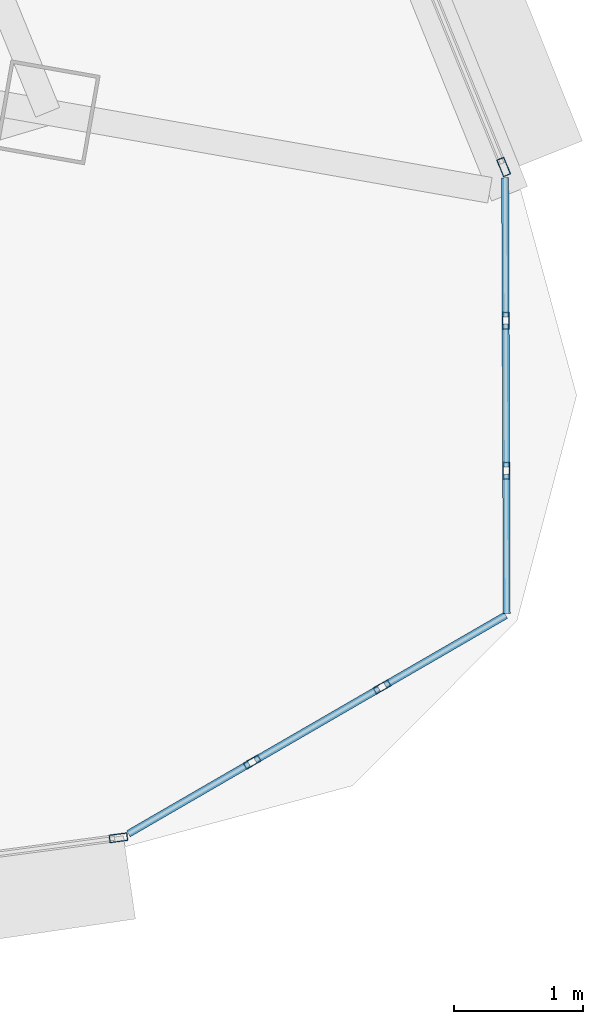
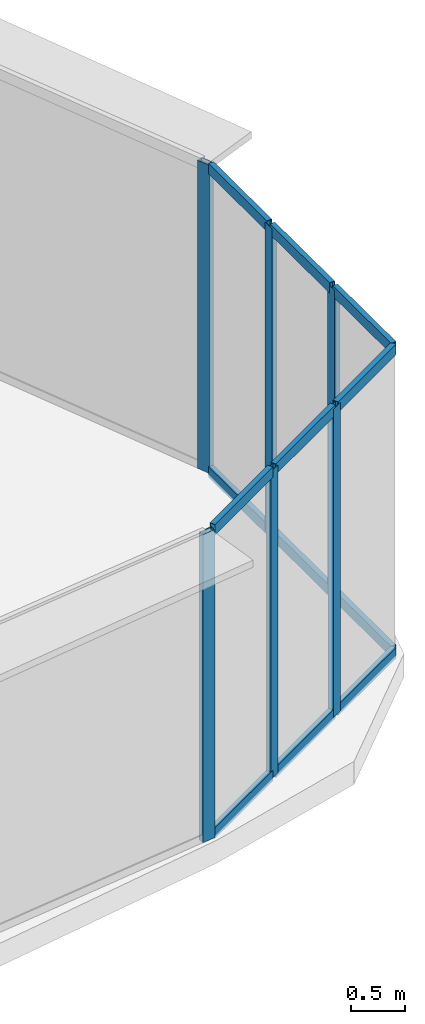
# One storey, part 13 of 26: 18 members, 4 elements without a shape of their own.
"""IFC4 building model written with IfcOpenShell, lengths in metres."""

from ifc_helpers import new_model, si_unit, direction, frame, origin, origin_2d, place, context, subcontext, project, spatial, hollow_rectangle, extrude, source, transform, mapped, material, layer, layer_set, material_profile, profile_set, type_object, element, aggregate, save


model = new_model("IFC4")

# Units and contexts
model_context = context("Model", 3, precision=1e-05, world=origin(), true_north=direction((0.0, 1.0)))
body_context = subcontext(model_context, "Body", "Model", "MODEL_VIEW")
ifc_project = project(units=[si_unit("LENGTHUNIT", "METRE"), si_unit("AREAUNIT", "SQUARE_METRE"), si_unit("VOLUMEUNIT", "CUBIC_METRE"), si_unit("PLANEANGLEUNIT", "RADIAN"), si_unit("MASSUNIT", "GRAM", prefix="KILO"), si_unit("THERMODYNAMICTEMPERATUREUNIT", "KELVIN"), si_unit("POWERUNIT", "WATT")], contexts=[model_context])

# Site, building, storey
site_placement = place(None, origin())
site = spatial("IfcSite", under=ifc_project, at=site_placement, CompositionType="ELEMENT")
building_placement = place(site_placement, origin())
building = spatial("IfcBuilding", under=site, at=building_placement, Name="Yunzhuo Pagoda Commons", CompositionType="ELEMENT")
storey_placement = place(building_placement, frame((0.0, 0.0, 340.510009765625)))
storey = spatial("IfcBuildingStorey", under=building, at=storey_placement, Name="L85", CompositionType="ELEMENT", Elevation=340.510009765625)

# Curtain wall, member
ifc_material = material(Name="Anodized aluminium 6063-T6", Category="aluminium")
ifc_layer_1 = layer(ifc_material, 0.139892578125)
ifc_layer_set_1 = layer_set([ifc_layer_1], Name="Anodized aluminium 6063-T6")
curtain_wall_type_1 = type_object("IfcCurtainWallType", Name="CW-HI High-Zone Ribbon Curtain Wall", PredefinedType="NOTDEFINED", material=ifc_layer_set_1)
curtain_wall_1_placement = place(storey_placement, origin())
curtain_wall_1 = element("IfcCurtainWall", 1, at=curtain_wall_1_placement, inside=storey, type_object=curtain_wall_type_1, Name="L85 curtain wall CW-L85-F1B5", PredefinedType="NOTDEFINED")
ifc_material_profile_1 = material_profile(ifc_material, hollow_rectangle(XDim=0.06005859375, YDim=0.139892578125, WallThickness=0.00341796875, at=origin_2d()), Name="Anodized aluminium 6063-T6")
ifc_profile_set_1 = profile_set([ifc_material_profile_1], Name="Anodized aluminium 6063-T6")
member_type_1 = type_object("IfcMemberType", Name="CW-HI-M Mullion RHS 140x60x3.5", PredefinedType="MULLION", material=ifc_profile_set_1)
shared_shape_1 = source(origin(), body_context, "Body", "SweptSolid", [
    extrude(hollow_rectangle(XDim=0.06005859375, YDim=0.139892578125, WallThickness=0.00341796875, at=origin_2d()), origin(), (0.0, 0.0, 1.0), 3.489990234375),
])
member_1_placement = place(storey_placement, frame((73.0166015625, 23.781982421875, 0.0), z_axis=(0.0, 0.0, 1.0), x_axis=(-0.132068741636, 0.991240559845, 0.0)))
member_1 = element("IfcMember", 2, at=member_1_placement, type_object=member_type_1, Name="CW mullion 2", PredefinedType="MULLION", context=body_context, shape_type="MappedRepresentation", body=[
    mapped(shared_shape_1, transform((0.0, 0.0, 0.0), scale=1.0)),
])
aggregate(curtain_wall_1, [member_1])

curtain_wall_2_placement = place(storey_placement, origin())
curtain_wall_2 = element("IfcCurtainWall", 3, at=curtain_wall_2_placement, inside=storey, type_object=curtain_wall_type_1, Name="L85 curtain wall CW-L85-F2B2", PredefinedType="NOTDEFINED")
member_2_placement = place(storey_placement, frame((75.991455078125, 28.962890625, 0.0), z_axis=(0.0, 0.0, 1.0), x_axis=(-0.925729863061, -0.37818543155, 0.0)))
member_2 = element("IfcMember", 4, at=member_2_placement, type_object=member_type_1, Name="CW mullion 1", PredefinedType="MULLION", context=body_context, shape_type="MappedRepresentation", body=[
    mapped(shared_shape_1, transform((0.0, 0.0, 0.0), scale=1.0)),
])
aggregate(curtain_wall_2, [member_2])

# Curtain wall, members
ifc_layer_2 = layer(ifc_material, 0.1298828125)
ifc_layer_set_2 = layer_set([ifc_layer_2], Name="Anodized aluminium 6063-T6")
curtain_wall_type_2 = type_object("IfcCurtainWallType", Name="CW-VTX Rounded Corner Curtain Wall", PredefinedType="NOTDEFINED", material=ifc_layer_set_2)
curtain_wall_3_placement = place(storey_placement, origin())
curtain_wall_3 = element("IfcCurtainWall", 5, at=curtain_wall_3_placement, inside=storey, type_object=curtain_wall_type_2, Name="L85 curtain wall CW-L85-VTX2S1", PredefinedType="NOTDEFINED")
ifc_material_profile_2 = material_profile(ifc_material, hollow_rectangle(XDim=0.054931640625, YDim=0.1298828125, WallThickness=0.00341796875, at=origin_2d()), Name="Anodized aluminium 6063-T6")
ifc_profile_set_2 = profile_set([ifc_material_profile_2], Name="Anodized aluminium 6063-T6")
member_type_2 = type_object("IfcMemberType", Name="CW-VTX-M Mullion RHS 130x55x3.5", PredefinedType="MULLION", material=ifc_profile_set_2)
shared_shape_2 = source(origin(), body_context, "Body", "SweptSolid", [
    extrude(hollow_rectangle(XDim=0.054931640625, YDim=0.1298828125, WallThickness=0.00341796875, at=origin_2d()), origin(), (0.0, 0.0, 1.0), 3.489990234375),
])
member_3_placement = place(storey_placement, frame((74.04931640625, 24.36669921875, 0.0), z_axis=(0.0, 0.0, 1.0), x_axis=(-0.501028333753, 0.865430880416, 0.0)))
member_3 = element("IfcMember", 6, at=member_3_placement, type_object=member_type_2, Name="CW mullion 2", PredefinedType="MULLION", context=body_context, shape_type="MappedRepresentation", body=[
    mapped(shared_shape_2, transform((0.0, 0.0, 0.0), scale=1.0)),
])
member_4_placement = place(storey_placement, frame((75.05224609375, 24.947265625, 0.0), z_axis=(0.0, 0.0, 1.0), x_axis=(-0.501028333753, 0.865430880416, 0.0)))
member_4 = element("IfcMember", 7, at=member_4_placement, type_object=member_type_2, Name="CW mullion 3", PredefinedType="MULLION", context=body_context, shape_type="MappedRepresentation", body=[
    mapped(shared_shape_2, transform((0.0, 0.0, 0.0), scale=1.0)),
])

curtain_wall_4_placement = place(storey_placement, origin())
curtain_wall_4 = element("IfcCurtainWall", 8, at=curtain_wall_4_placement, inside=storey, type_object=curtain_wall_type_2, Name="L85 curtain wall CW-L85-VTX2S2", PredefinedType="NOTDEFINED")
member_5_placement = place(storey_placement, frame((76.011474609375, 26.617431640625, 0.0), z_axis=(0.0, 0.0, 1.0), x_axis=(-0.999993639375, -0.003566680416, 0.0)))
member_5 = element("IfcMember", 9, at=member_5_placement, type_object=member_type_2, Name="CW mullion 2", PredefinedType="MULLION", context=body_context, shape_type="MappedRepresentation", body=[
    mapped(shared_shape_2, transform((0.0, 0.0, 0.0), scale=1.0)),
])
member_6_placement = place(storey_placement, frame((76.007080078125, 27.776123046875, 0.0), z_axis=(0.0, 0.0, 1.0), x_axis=(-0.999993639375, -0.003566680416, 0.0)))
member_6 = element("IfcMember", 10, at=member_6_placement, type_object=member_type_2, Name="CW mullion 3", PredefinedType="MULLION", context=body_context, shape_type="MappedRepresentation", body=[
    mapped(shared_shape_2, transform((0.0, 0.0, 0.0), scale=1.0)),
])

# Member
ifc_material_profile_3 = material_profile(ifc_material, hollow_rectangle(XDim=0.054931640625, YDim=0.1201171875, WallThickness=0.00341796875, at=origin_2d()), Name="Anodized aluminium 6063-T6")
ifc_profile_set_3 = profile_set([ifc_material_profile_3], Name="Anodized aluminium 6063-T6")
member_type_3 = type_object("IfcMemberType", Name="CW-VTX-T Transom RHS 120x55x3.5", PredefinedType="USERDEFINED", material=ifc_profile_set_3)
shared_shape_3 = source(origin(), body_context, "Body", "SweptSolid", [
    extrude(hollow_rectangle(XDim=0.054931640625, YDim=0.1201171875, WallThickness=0.00341796875, at=origin_2d()), origin(), (0.0, 0.0, 1.0), 1.076171875),
])
member_7_placement = place(storey_placement, frame((75.076171875, 24.961181640625, 0.027587890625), z_axis=(0.865493584374, 0.50092000899, 0.0), x_axis=(-0.50092000899, 0.865493584374, 0.0)))
member_7 = element("IfcMember", 11, at=member_7_placement, type_object=member_type_3, Name="CW transom 3.1", ObjectType="TRANSOM", PredefinedType="USERDEFINED", context=body_context, shape_type="MappedRepresentation", body=[
    mapped(shared_shape_3, transform((0.0, 0.0, 0.0), scale=1.0)),
])

member_8_placement = place(storey_placement, frame((75.076171875, 24.961181640625, 3.46240234375), z_axis=(0.865493584374, 0.50092000899, 0.0), x_axis=(-0.50092000899, 0.865493584374, 0.0)))
member_8 = element("IfcMember", 12, at=member_8_placement, type_object=member_type_3, Name="CW transom 3.2", ObjectType="TRANSOM", PredefinedType="USERDEFINED", context=body_context, shape_type="MappedRepresentation", body=[
    mapped(shared_shape_3, transform((0.0, 0.0, 0.0), scale=1.0)),
])

member_9_placement = place(storey_placement, frame((76.0068359375, 27.8037109375, 0.027587890625), z_axis=(-0.003402884109, 0.999994210173, 0.0), x_axis=(-0.999994210173, -0.003402884109, 0.0)))
member_9 = element("IfcMember", 13, at=member_9_placement, type_object=member_type_3, Name="CW transom 3.1", ObjectType="TRANSOM", PredefinedType="USERDEFINED", context=body_context, shape_type="MappedRepresentation", body=[
    mapped(shared_shape_3, transform((0.0, 0.0, 0.0), scale=1.0)),
])

member_10_placement = place(storey_placement, frame((76.0068359375, 27.8037109375, 3.46240234375), z_axis=(-0.003402884109, 0.999994210173, 0.0), x_axis=(-0.999994210173, -0.003402884109, 0.0)))
member_10 = element("IfcMember", 14, at=member_10_placement, type_object=member_type_3, Name="CW transom 3.2", ObjectType="TRANSOM", PredefinedType="USERDEFINED", context=body_context, shape_type="MappedRepresentation", body=[
    mapped(shared_shape_3, transform((0.0, 0.0, 0.0), scale=1.0)),
])

shared_shape_4 = source(origin(), body_context, "Body", "SweptSolid", [
    extrude(hollow_rectangle(XDim=0.054931640625, YDim=0.1201171875, WallThickness=0.00341796875, at=origin_2d()), origin(), (0.0, 0.0, 1.0), 1.103759765625),
])
member_11_placement = place(storey_placement, frame((76.010986328125, 26.644775390625, 0.027587890625), z_axis=(-0.003539017873, 0.999993737657, 0.0), x_axis=(-0.999993737657, -0.003539017873, 0.0)))
member_11 = element("IfcMember", 15, at=member_11_placement, type_object=member_type_3, Name="CW transom 2.1", ObjectType="TRANSOM", PredefinedType="USERDEFINED", context=body_context, shape_type="MappedRepresentation", body=[
    mapped(shared_shape_4, transform((0.0, 0.0, 0.0), scale=1.0)),
])

member_12_placement = place(storey_placement, frame((76.010986328125, 26.644775390625, 3.46240234375), z_axis=(-0.003539017873, 0.999993737657, 0.0), x_axis=(-0.999993737657, -0.003539017873, 0.0)))
member_12 = element("IfcMember", 16, at=member_12_placement, type_object=member_type_3, Name="CW transom 2.2", ObjectType="TRANSOM", PredefinedType="USERDEFINED", context=body_context, shape_type="MappedRepresentation", body=[
    mapped(shared_shape_4, transform((0.0, 0.0, 0.0), scale=1.0)),
])

shared_shape_5 = source(origin(), body_context, "Body", "SweptSolid", [
    extrude(hollow_rectangle(XDim=0.054931640625, YDim=0.1201171875, WallThickness=0.00341796875, at=origin_2d()), origin(), (0.0, 0.0, 1.0), 1.076416015625),
])
member_13_placement = place(storey_placement, frame((73.093994140625, 23.8134765625, 0.027587890625), z_axis=(0.865452163497, 0.500991569488, 0.0), x_axis=(-0.500991569488, 0.865452163497, 0.0)))
member_13 = element("IfcMember", 17, at=member_13_placement, type_object=member_type_3, Name="CW transom 1.1", ObjectType="TRANSOM", PredefinedType="USERDEFINED", context=body_context, shape_type="MappedRepresentation", body=[
    mapped(shared_shape_5, transform((0.0, 0.0, 0.0), scale=1.0)),
])

member_14_placement = place(storey_placement, frame((73.093994140625, 23.8134765625, 3.46240234375), z_axis=(0.865452163497, 0.500991569488, 0.0), x_axis=(-0.500991569488, 0.865452163497, 0.0)))
member_14 = element("IfcMember", 18, at=member_14_placement, type_object=member_type_3, Name="CW transom 1.2", ObjectType="TRANSOM", PredefinedType="USERDEFINED", context=body_context, shape_type="MappedRepresentation", body=[
    mapped(shared_shape_5, transform((0.0, 0.0, 0.0), scale=1.0)),
])

member_15_placement = place(storey_placement, frame((76.01513671875, 25.513427734375, 0.027587890625), z_axis=(-0.003402112314, 0.999994212799, 0.0), x_axis=(-0.999994212799, -0.003402112314, 0.0)))
member_15 = element("IfcMember", 19, at=member_15_placement, type_object=member_type_3, Name="CW transom 1.1", ObjectType="TRANSOM", PredefinedType="USERDEFINED", context=body_context, shape_type="MappedRepresentation", body=[
    mapped(shared_shape_5, transform((0.0, 0.0, 0.0), scale=1.0)),
])

member_16_placement = place(storey_placement, frame((76.01513671875, 25.513427734375, 3.46240234375), z_axis=(-0.003402112314, 0.999994212799, 0.0), x_axis=(-0.999994212799, -0.003402112314, 0.0)))
member_16 = element("IfcMember", 20, at=member_16_placement, type_object=member_type_3, Name="CW transom 1.2", ObjectType="TRANSOM", PredefinedType="USERDEFINED", context=body_context, shape_type="MappedRepresentation", body=[
    mapped(shared_shape_5, transform((0.0, 0.0, 0.0), scale=1.0)),
])

aggregate(curtain_wall_4, [member_5, member_6, member_15, member_16, member_11, member_12, member_9, member_10])

shared_shape_6 = source(origin(), body_context, "Body", "SweptSolid", [
    extrude(hollow_rectangle(XDim=0.054931640625, YDim=0.1201171875, WallThickness=0.00341796875, at=origin_2d()), origin(), (0.0, 0.0, 1.0), 1.104248046875),
])
member_17_placement = place(storey_placement, frame((74.0732421875, 24.38037109375, 0.027587890625), z_axis=(0.865426285481, 0.501036270542, 0.0), x_axis=(-0.501036270542, 0.865426285481, 0.0)))
member_17 = element("IfcMember", 21, at=member_17_placement, type_object=member_type_3, Name="CW transom 2.1", ObjectType="TRANSOM", PredefinedType="USERDEFINED", context=body_context, shape_type="MappedRepresentation", body=[
    mapped(shared_shape_6, transform((0.0, 0.0, 0.0), scale=1.0)),
])

member_18_placement = place(storey_placement, frame((74.0732421875, 24.38037109375, 3.46240234375), z_axis=(0.865426285481, 0.501036270542, 0.0), x_axis=(-0.501036270542, 0.865426285481, 0.0)))
member_18 = element("IfcMember", 22, at=member_18_placement, type_object=member_type_3, Name="CW transom 2.2", ObjectType="TRANSOM", PredefinedType="USERDEFINED", context=body_context, shape_type="MappedRepresentation", body=[
    mapped(shared_shape_6, transform((0.0, 0.0, 0.0), scale=1.0)),
])

aggregate(curtain_wall_3, [member_3, member_4, member_13, member_14, member_17, member_18, member_7, member_8])

save(model, "model.ifc")
